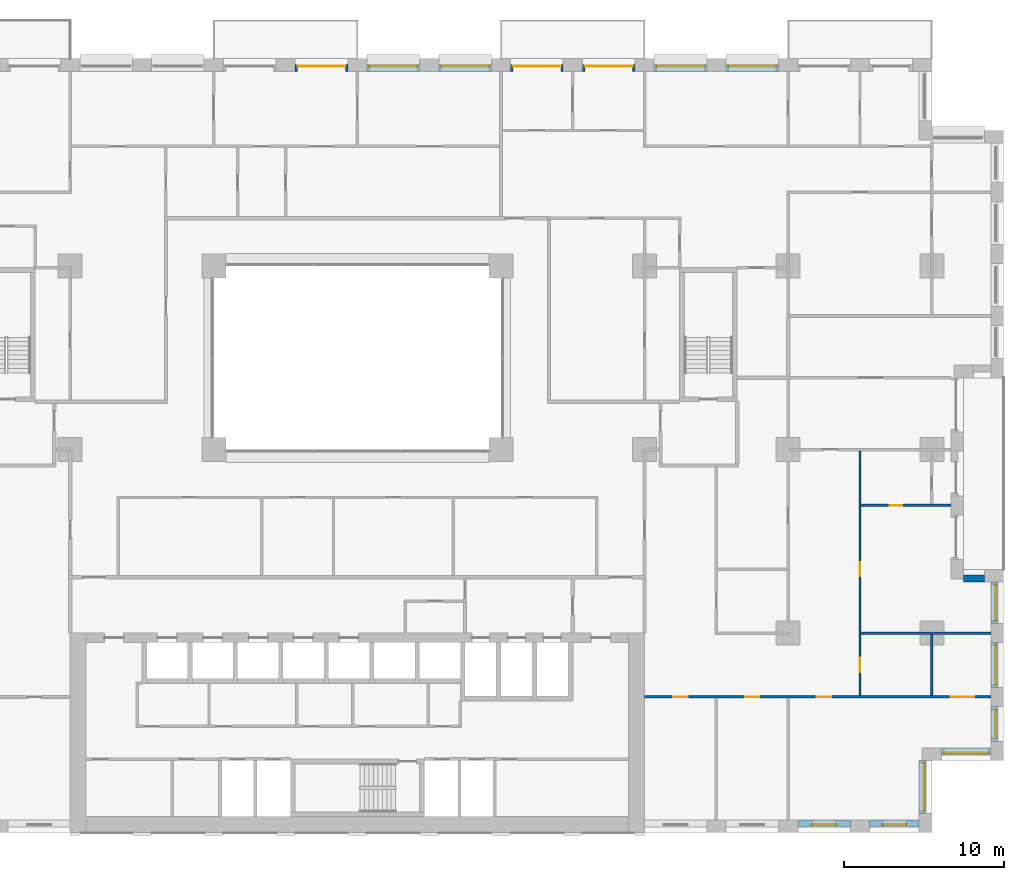
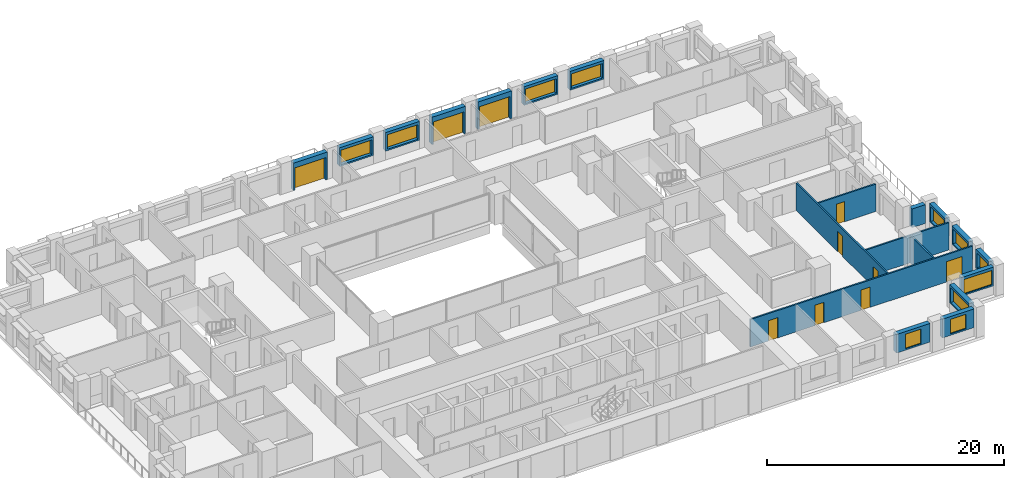
# One storey, part 16 of 20: 20 walls, 11 windows, 10 doors, 21 openings.
"""IFC4 building model written with IfcOpenShell, lengths in metres."""

from ifc_helpers import new_model, si_unit, direction, frame, frame_2d, origin, place, context, subcontext, project, spatial, rectangle, extrude, material, layer, layer_set, type_object, element, fill, save


model = new_model("IFC4")

# Units and contexts
model_context = context("Model", 3, precision=1e-05, world=origin(), true_north=direction((0.0, 1.0)))
body_context = subcontext(model_context, "Body", "Model", "MODEL_VIEW")
ifc_project = project(units=[si_unit("LENGTHUNIT", "METRE"), si_unit("AREAUNIT", "SQUARE_METRE"), si_unit("VOLUMEUNIT", "CUBIC_METRE"), si_unit("PLANEANGLEUNIT", "RADIAN"), si_unit("MASSUNIT", "GRAM", prefix="KILO")], contexts=[model_context])

# Site, building, storey
site_placement = place(None, origin())
site = spatial("IfcSite", under=ifc_project, at=site_placement, CompositionType="ELEMENT")
building_placement = place(site_placement, origin())
building = spatial("IfcBuilding", under=site, at=building_placement, Name="Brigalow Station Residences", CompositionType="ELEMENT")
storey_placement = place(building_placement, frame((0.0, 0.0, 66.75)))
storey = spatial("IfcBuildingStorey", under=building, at=storey_placement, Name="L19", CompositionType="ELEMENT", Elevation=66.75)

# Wall, opening, window
ifc_material_1 = material(Name="Clay brick masonry", Category="masonry")
ifc_layer_1 = layer(ifc_material_1, 0.449951171875)
ifc_layer_set_1 = layer_set([ifc_layer_1], Name="BRICK INFILL WALL 450")
wall_type_1 = type_object("IfcWallType", Name="BRICK INFILL WALL 450", PredefinedType="SOLIDWALL", material=ifc_layer_set_1)
wall_1_placement = place(storey_placement, frame((63.60009765625, 0.574951171875, 0.89990234375), z_axis=(0.0, 0.0, 1.0), x_axis=(1.0, 0.0, 0.0)))
wall_1 = element("IfcWall", 1, at=wall_1_placement, inside=storey, type_object=wall_type_1, Name="L19/ewall/W-L19-7", PredefinedType="SOLIDWALL", context=body_context, shape_type="SweptSolid", body=[
    extrude(rectangle(XDim=3.2998046875, YDim=0.449951171875, at=frame_2d((1.64990234375, 0.0))), origin(), (0.0, 0.0, 1.0), 1.93017578125),
])
opening_1_placement = place(wall_1_placement, frame((0.89990234375, 0.0, 0.14990234375)))
opening_1 = element("IfcOpeningElement", 2, at=opening_1_placement, cuts=wall_1, Name="Opening WT-1", PredefinedType="OPENING", context=body_context, shape_type="SweptSolid", body=[
    extrude(rectangle(XDim=1.5, YDim=1.5, at=frame_2d((0.75, 0.75))), frame((0.0, 0.23486328125, 0.0), z_axis=(0.0, -1.0, 0.0), x_axis=(1.0, 0.0, 0.0)), (0.0, 0.0, 1.0), 0.469970703125),
])
ifc_material_2 = material(Name="Anodised aluminium frame with double glazing", Category="aluminium")
window_type_1 = type_object("IfcWindowType", Name="WINDOW 1500x1500", PartitioningType="SINGLE_PANEL", PredefinedType="WINDOW", material=ifc_material_2)
window_1_placement = place(opening_1_placement, origin())
window_1 = element("IfcWindow", 3, at=window_1_placement, inside=storey, type_object=window_type_1, Name="L19/window/W-L19-7", OverallHeight=1.5, OverallWidth=1.5, PartitioningType="SINGLE_PANEL", PredefinedType="WINDOW", context=body_context, shape_type="SweptSolid", body=[
    extrude(rectangle(XDim=1.5, YDim=1.5, at=frame_2d((0.75, 0.75))), frame((0.0, -0.06494140625, 0.0), z_axis=(0.0, -1.0, 0.0), x_axis=(1.0, 0.0, 0.0)), (0.0, 0.0, 1.0), 0.06005859375),
])
fill(opening_1, window_1)

wall_2_placement = place(storey_placement, frame((68.10009765625, 0.574951171875, 0.89990234375), z_axis=(0.0, 0.0, 1.0), x_axis=(1.0, 0.0, 0.0)))
wall_2 = element("IfcWall", 4, at=wall_2_placement, inside=storey, type_object=wall_type_1, Name="L19/ewall/W-L19-8", PredefinedType="SOLIDWALL", context=body_context, shape_type="SweptSolid", body=[
    extrude(rectangle(XDim=3.099853515625, YDim=0.449951171875, at=frame_2d((1.5498046875, 0.0))), origin(), (0.0, 0.0, 1.0), 1.93017578125),
])
opening_2_placement = place(wall_2_placement, frame((0.800048828125, 0.0, 0.14990234375)))
opening_2 = element("IfcOpeningElement", 5, at=opening_2_placement, cuts=wall_2, Name="Opening WT-1", PredefinedType="OPENING", context=body_context, shape_type="SweptSolid", body=[
    extrude(rectangle(XDim=1.5, YDim=1.5, at=frame_2d((0.75, 0.75))), frame((0.0, 0.23486328125, 0.0), z_axis=(0.0, -1.0, 0.0), x_axis=(1.0, 0.0, 0.0)), (0.0, 0.0, 1.0), 0.469970703125),
])
window_2_placement = place(opening_2_placement, origin())
window_2 = element("IfcWindow", 6, at=window_2_placement, inside=storey, type_object=window_type_1, Name="L19/window/W-L19-8", OverallHeight=1.5, OverallWidth=1.5, PartitioningType="SINGLE_PANEL", PredefinedType="WINDOW", context=body_context, shape_type="SweptSolid", body=[
    extrude(rectangle(XDim=1.5, YDim=1.5, at=frame_2d((0.75, 0.75))), frame((0.0, -0.06494140625, 0.0), z_axis=(0.0, -1.0, 0.0), x_axis=(1.0, 0.0, 0.0)), (0.0, 0.0, 1.0), 0.06005859375),
])
fill(opening_2, window_2)

wall_3_placement = place(storey_placement, frame((71.425048828125, 1.199951171875, 0.89990234375), z_axis=(0.0, 0.0, 1.0), x_axis=(0.0, 1.0, 0.0)))
wall_3 = element("IfcWall", 7, at=wall_3_placement, inside=storey, type_object=wall_type_1, Name="L19/ewall/W-L19-9", PredefinedType="SOLIDWALL", context=body_context, shape_type="SweptSolid", body=[
    extrude(rectangle(XDim=3.300048828125, YDim=0.449951171875, at=frame_2d((1.64990234375, 0.0))), origin(), (0.0, 0.0, 1.0), 1.93017578125),
])
opening_3_placement = place(wall_3_placement, frame((0.14990234375, 0.0, 0.14990234375)))
opening_3 = element("IfcOpeningElement", 8, at=opening_3_placement, cuts=wall_3, Name="Opening WT-2", PredefinedType="OPENING", context=body_context, shape_type="SweptSolid", body=[
    extrude(rectangle(XDim=3.0, YDim=1.5, at=frame_2d((1.5, 0.75))), frame((0.0, 0.23486328125, 0.0), z_axis=(0.0, -1.0, 0.0), x_axis=(1.0, 0.0, 0.0)), (0.0, 0.0, 1.0), 0.469970703125),
])
ifc_material_3 = material(Name="Anodised aluminium frame with double glazing", Category="aluminium")
window_type_2 = type_object("IfcWindowType", Name="WINDOW 3000x1500", PartitioningType="SINGLE_PANEL", PredefinedType="WINDOW", material=ifc_material_3)
window_3_placement = place(opening_3_placement, origin())
window_3 = element("IfcWindow", 9, at=window_3_placement, inside=storey, type_object=window_type_2, Name="L19/window/W-L19-9", OverallHeight=1.5, OverallWidth=3.0, PartitioningType="SINGLE_PANEL", PredefinedType="WINDOW", context=body_context, shape_type="SweptSolid", body=[
    extrude(rectangle(XDim=3.0, YDim=1.5, at=frame_2d((1.5, 0.75))), frame((0.0, -0.06494140625, 0.0), z_axis=(0.0, -1.0, 0.0), x_axis=(1.0, 0.0, 0.0)), (0.0, 0.0, 1.0), 0.06005859375),
])
fill(opening_3, window_3)

wall_4_placement = place(storey_placement, frame((72.60009765625, 5.074951171875, 0.89990234375), z_axis=(0.0, 0.0, 1.0), x_axis=(1.0, 0.0, 0.0)))
wall_4 = element("IfcWall", 10, at=wall_4_placement, inside=storey, type_object=wall_type_1, Name="L19/ewall/W-L19-10", PredefinedType="SOLIDWALL", context=body_context, shape_type="SweptSolid", body=[
    extrude(rectangle(XDim=3.099853515625, YDim=0.449951171875, at=frame_2d((1.5498046875, 0.0))), origin(), (0.0, 0.0, 1.0), 1.93017578125),
])
opening_4_placement = place(wall_4_placement, frame((0.175048828125, 0.0, 0.14990234375)))
opening_4 = element("IfcOpeningElement", 11, at=opening_4_placement, cuts=wall_4, Name="Opening WT-3", PredefinedType="OPENING", context=body_context, shape_type="SweptSolid", body=[
    extrude(rectangle(XDim=2.75, YDim=1.5, at=frame_2d((1.375, 0.75))), frame((0.0, 0.23486328125, 0.0), z_axis=(0.0, -1.0, 0.0), x_axis=(1.0, 0.0, 0.0)), (0.0, 0.0, 1.0), 0.469970703125),
])
ifc_material_4 = material(Name="Anodised aluminium frame with double glazing", Category="aluminium")
window_type_3 = type_object("IfcWindowType", Name="WINDOW 2750x1500", PartitioningType="SINGLE_PANEL", PredefinedType="WINDOW", material=ifc_material_4)
window_4_placement = place(opening_4_placement, origin())
window_4 = element("IfcWindow", 12, at=window_4_placement, inside=storey, type_object=window_type_3, Name="L19/window/W-L19-10", OverallHeight=1.5, OverallWidth=2.75, PartitioningType="SINGLE_PANEL", PredefinedType="WINDOW", context=body_context, shape_type="SweptSolid", body=[
    extrude(rectangle(XDim=2.75, YDim=1.5, at=frame_2d((1.375, 0.75))), frame((0.0, -0.06494140625, 0.0), z_axis=(0.0, -1.0, 0.0), x_axis=(1.0, 0.0, 0.0)), (0.0, 0.0, 1.0), 0.06005859375),
])
fill(opening_4, window_4)

wall_5_placement = place(storey_placement, frame((75.925048828125, 5.699951171875, 0.89990234375), z_axis=(0.0, 0.0, 1.0), x_axis=(0.0, 1.0, 0.0)))
wall_5 = element("IfcWall", 13, at=wall_5_placement, inside=storey, type_object=wall_type_1, Name="L19/ewall/W-L19-11", PredefinedType="SOLIDWALL", context=body_context, shape_type="SweptSolid", body=[
    extrude(rectangle(XDim=2.199951171875, YDim=0.449951171875, at=frame_2d((1.10009765625, 0.0))), origin(), (0.0, 0.0, 1.0), 1.93017578125),
])
opening_5_placement = place(wall_5_placement, frame((0.22509765625, 0.0, 0.14990234375)))
opening_5 = element("IfcOpeningElement", 14, at=opening_5_placement, cuts=wall_5, Name="Opening WT-4", PredefinedType="OPENING", context=body_context, shape_type="SweptSolid", body=[
    extrude(rectangle(XDim=1.75, YDim=1.5, at=frame_2d((0.875, 0.75))), frame((0.0, 0.23486328125, 0.0), z_axis=(0.0, -1.0, 0.0), x_axis=(1.0, 0.0, 0.0)), (0.0, 0.0, 1.0), 0.469970703125),
])
ifc_material_5 = material(Name="Anodised aluminium frame with double glazing", Category="aluminium")
window_type_4 = type_object("IfcWindowType", Name="WINDOW 1750x1500", PartitioningType="SINGLE_PANEL", PredefinedType="WINDOW", material=ifc_material_5)
window_5_placement = place(opening_5_placement, origin())
window_5 = element("IfcWindow", 15, at=window_5_placement, inside=storey, type_object=window_type_4, Name="L19/window/W-L19-11", OverallHeight=1.5, OverallWidth=1.75, PartitioningType="SINGLE_PANEL", PredefinedType="WINDOW", context=body_context, shape_type="SweptSolid", body=[
    extrude(rectangle(XDim=1.75, YDim=1.5, at=frame_2d((0.875, 0.75))), frame((0.0, -0.06494140625, 0.0), z_axis=(0.0, -1.0, 0.0), x_axis=(1.0, 0.0, 0.0)), (0.0, 0.0, 1.0), 0.06005859375),
])
fill(opening_5, window_5)

wall_6_placement = place(storey_placement, frame((75.925048828125, 9.10009765625, 0.89990234375), z_axis=(0.0, 0.0, 1.0), x_axis=(0.0, 1.0, 0.0)))
wall_6 = element("IfcWall", 16, at=wall_6_placement, inside=storey, type_object=wall_type_1, Name="L19/ewall/W-L19-12", PredefinedType="SOLIDWALL", context=body_context, shape_type="SweptSolid", body=[
    extrude(rectangle(XDim=2.7998046875, YDim=0.449951171875, at=frame_2d((1.39990234375, 0.0))), origin(), (0.0, 0.0, 1.0), 1.93017578125),
])
opening_6_placement = place(wall_6_placement, frame((0.14990234375, 0.0, 0.14990234375)))
opening_6 = element("IfcOpeningElement", 17, at=opening_6_placement, cuts=wall_6, Name="Opening WT-5", PredefinedType="OPENING", context=body_context, shape_type="SweptSolid", body=[
    extrude(rectangle(XDim=2.5, YDim=1.5, at=frame_2d((1.25, 0.75))), frame((0.0, 0.23486328125, 0.0), z_axis=(0.0, -1.0, 0.0), x_axis=(1.0, 0.0, 0.0)), (0.0, 0.0, 1.0), 0.469970703125),
])
ifc_material_6 = material(Name="Anodised aluminium frame with double glazing", Category="aluminium")
window_type_5 = type_object("IfcWindowType", Name="WINDOW 2500x1500", PartitioningType="SINGLE_PANEL", PredefinedType="WINDOW", material=ifc_material_6)
window_6_placement = place(opening_6_placement, origin())
window_6 = element("IfcWindow", 18, at=window_6_placement, inside=storey, type_object=window_type_5, Name="L19/window/W-L19-12", OverallHeight=1.5, OverallWidth=2.5, PartitioningType="SINGLE_PANEL", PredefinedType="WINDOW", context=body_context, shape_type="SweptSolid", body=[
    extrude(rectangle(XDim=2.5, YDim=1.5, at=frame_2d((1.25, 0.75))), frame((0.0, -0.06494140625, 0.0), z_axis=(0.0, -1.0, 0.0), x_axis=(1.0, 0.0, 0.0)), (0.0, 0.0, 1.0), 0.06005859375),
])
fill(opening_6, window_6)

wall_7_placement = place(storey_placement, frame((75.925048828125, 13.10009765625, 0.89990234375), z_axis=(0.0, 0.0, 1.0), x_axis=(0.0, 1.0, 0.0)))
wall_7 = element("IfcWall", 19, at=wall_7_placement, inside=storey, type_object=wall_type_1, Name="L19/ewall/W-L19-13", PredefinedType="SOLIDWALL", context=body_context, shape_type="SweptSolid", body=[
    extrude(rectangle(XDim=2.599853515625, YDim=0.449951171875, at=frame_2d((1.2998046875, 0.0))), origin(), (0.0, 0.0, 1.0), 1.93017578125),
])
opening_7_placement = place(wall_7_placement, frame((0.175048828125, 0.0, 0.14990234375)))
opening_7 = element("IfcOpeningElement", 20, at=opening_7_placement, cuts=wall_7, Name="Opening WT-6", PredefinedType="OPENING", context=body_context, shape_type="SweptSolid", body=[
    extrude(rectangle(XDim=2.25, YDim=1.5, at=frame_2d((1.125, 0.75))), frame((0.0, 0.23486328125, 0.0), z_axis=(0.0, -1.0, 0.0), x_axis=(1.0, 0.0, 0.0)), (0.0, 0.0, 1.0), 0.469970703125),
])
ifc_material_7 = material(Name="Anodised aluminium frame with double glazing", Category="aluminium")
window_type_6 = type_object("IfcWindowType", Name="WINDOW 2250x1500", PartitioningType="SINGLE_PANEL", PredefinedType="WINDOW", material=ifc_material_7)
window_7_placement = place(opening_7_placement, origin())
window_7 = element("IfcWindow", 21, at=window_7_placement, inside=storey, type_object=window_type_6, Name="L19/window/W-L19-13", OverallHeight=1.5, OverallWidth=2.25, PartitioningType="SINGLE_PANEL", PredefinedType="WINDOW", context=body_context, shape_type="SweptSolid", body=[
    extrude(rectangle(XDim=2.25, YDim=1.5, at=frame_2d((1.125, 0.75))), frame((0.0, -0.06494140625, 0.0), z_axis=(0.0, -1.0, 0.0), x_axis=(1.0, 0.0, 0.0)), (0.0, 0.0, 1.0), 0.06005859375),
])
fill(opening_7, window_7)

# Wall
wall_8_placement = place(storey_placement, frame((75.300048828125, 15.925048828125, 0.89990234375), z_axis=(0.0, 0.0, 1.0), x_axis=(-1.0, 0.0, 0.0)))
element("IfcWall", 22, at=wall_8_placement, inside=storey, type_object=wall_type_1, Name="L19/ewall/W-L19-14", PredefinedType="SOLIDWALL", context=body_context, shape_type="SweptSolid", body=[
    extrude(rectangle(XDim=1.300048828125, YDim=0.449951171875, at=frame_2d((0.64990234375, 0.0))), origin(), (0.0, 0.0, 1.0), 1.93017578125),
])

# Wall, opening, window
wall_9_placement = place(storey_placement, frame((62.39990234375, 47.925048828125, 0.89990234375), z_axis=(0.0, 0.0, 1.0), x_axis=(-1.0, 0.0, 0.0)))
wall_9 = element("IfcWall", 23, at=wall_9_placement, inside=storey, type_object=wall_type_1, Name="L19/ewall/W-L19-27", PredefinedType="SOLIDWALL", context=body_context, shape_type="SweptSolid", body=[
    extrude(rectangle(XDim=3.2998046875, YDim=0.449951171875, at=frame_2d((1.64990234375, 0.0))), origin(), (0.0, 0.0, 1.0), 1.93017578125),
])
opening_8_placement = place(wall_9_placement, frame((0.14990234375, 0.0, 0.14990234375)))
opening_8 = element("IfcOpeningElement", 24, at=opening_8_placement, cuts=wall_9, Name="Opening WT-2", PredefinedType="OPENING", context=body_context, shape_type="SweptSolid", body=[
    extrude(rectangle(XDim=3.0, YDim=1.5, at=frame_2d((1.5, 0.75))), frame((0.0, 0.23486328125, 0.0), z_axis=(0.0, -1.0, 0.0), x_axis=(1.0, 0.0, 0.0)), (0.0, 0.0, 1.0), 0.469970703125),
])
window_8_placement = place(opening_8_placement, origin())
window_8 = element("IfcWindow", 25, at=window_8_placement, inside=storey, type_object=window_type_2, Name="L19/window/W-L19-27", OverallHeight=1.5, OverallWidth=3.0, PartitioningType="SINGLE_PANEL", PredefinedType="WINDOW", context=body_context, shape_type="SweptSolid", body=[
    extrude(rectangle(XDim=3.0, YDim=1.5, at=frame_2d((1.5, 0.75))), frame((0.0, -0.06494140625, 0.0), z_axis=(0.0, -1.0, 0.0), x_axis=(1.0, 0.0, 0.0)), (0.0, 0.0, 1.0), 0.06005859375),
])
fill(opening_8, window_8)

wall_10_placement = place(storey_placement, frame((57.89990234375, 47.925048828125, 0.89990234375), z_axis=(0.0, 0.0, 1.0), x_axis=(-1.0, 0.0, 0.0)))
wall_10 = element("IfcWall", 26, at=wall_10_placement, inside=storey, type_object=wall_type_1, Name="L19/ewall/W-L19-28", PredefinedType="SOLIDWALL", context=body_context, shape_type="SweptSolid", body=[
    extrude(rectangle(XDim=3.2998046875, YDim=0.449951171875, at=frame_2d((1.64990234375, 0.0))), origin(), (0.0, 0.0, 1.0), 1.93017578125),
])
opening_9_placement = place(wall_10_placement, frame((0.14990234375, 0.0, 0.14990234375)))
opening_9 = element("IfcOpeningElement", 27, at=opening_9_placement, cuts=wall_10, Name="Opening WT-2", PredefinedType="OPENING", context=body_context, shape_type="SweptSolid", body=[
    extrude(rectangle(XDim=3.0, YDim=1.5, at=frame_2d((1.5, 0.75))), frame((0.0, 0.23486328125, 0.0), z_axis=(0.0, -1.0, 0.0), x_axis=(1.0, 0.0, 0.0)), (0.0, 0.0, 1.0), 0.469970703125),
])
window_9_placement = place(opening_9_placement, origin())
window_9 = element("IfcWindow", 28, at=window_9_placement, inside=storey, type_object=window_type_2, Name="L19/window/W-L19-28", OverallHeight=1.5, OverallWidth=3.0, PartitioningType="SINGLE_PANEL", PredefinedType="WINDOW", context=body_context, shape_type="SweptSolid", body=[
    extrude(rectangle(XDim=3.0, YDim=1.5, at=frame_2d((1.5, 0.75))), frame((0.0, -0.06494140625, 0.0), z_axis=(0.0, -1.0, 0.0), x_axis=(1.0, 0.0, 0.0)), (0.0, 0.0, 1.0), 0.06005859375),
])
fill(opening_9, window_9)

# Wall, opening, door
wall_11_placement = place(storey_placement, frame((53.39990234375, 47.925048828125, 0.0), z_axis=(0.0, 0.0, 1.0), x_axis=(-1.0, 0.0, 0.0)))
wall_11 = element("IfcWall", 29, at=wall_11_placement, inside=storey, type_object=wall_type_1, Name="L19/ewall/W-L19-29", PredefinedType="SOLIDWALL", context=body_context, shape_type="SweptSolid", body=[
    extrude(rectangle(XDim=3.2998046875, YDim=0.449951171875, at=frame_2d((1.64990234375, 0.0))), origin(), (0.0, 0.0, 1.0), 2.830078125),
])
opening_10_placement = place(wall_11_placement, frame((0.14990234375, 0.0, 0.0)))
opening_10 = element("IfcOpeningElement", 30, at=opening_10_placement, cuts=wall_11, Name="Opening D-B3000", PredefinedType="OPENING", context=body_context, shape_type="SweptSolid", body=[
    extrude(rectangle(XDim=3.0, YDim=2.300048828125, at=frame_2d((1.5, 1.14990234375))), frame((0.0, 0.23486328125, 0.0), z_axis=(0.0, -1.0, 0.0), x_axis=(1.0, 0.0, 0.0)), (0.0, 0.0, 1.0), 0.469970703125),
])
ifc_material_8 = material(Name="Anodised aluminium frame with double glazing", Category="aluminium")
door_type_1 = type_object("IfcDoorType", Name="BALCONY SLIDING DOOR 3000x2300", OperationType="SLIDING_TO_LEFT", PredefinedType="DOOR", material=ifc_material_8)
door_1_placement = place(opening_10_placement, origin())
door_1 = element("IfcDoor", 31, at=door_1_placement, inside=storey, type_object=door_type_1, Name="L19/balcony-door/W-L19-29", OperationType="SLIDING_TO_LEFT", OverallHeight=2.300048828125, OverallWidth=3.0, PredefinedType="DOOR", context=body_context, shape_type="SweptSolid", body=[
    extrude(rectangle(XDim=3.0, YDim=2.300048828125, at=frame_2d((1.5, 1.14990234375))), frame((0.0, -0.06982421875, 0.0), z_axis=(0.0, -1.0, 0.0), x_axis=(1.0, 0.0, 0.0)), (0.0, 0.0, 1.0), 0.050048828125),
])
fill(opening_10, door_1)

wall_12_placement = place(storey_placement, frame((48.89990234375, 47.925048828125, 0.0), z_axis=(0.0, 0.0, 1.0), x_axis=(-1.0, 0.0, 0.0)))
wall_12 = element("IfcWall", 32, at=wall_12_placement, inside=storey, type_object=wall_type_1, Name="L19/ewall/W-L19-30", PredefinedType="SOLIDWALL", context=body_context, shape_type="SweptSolid", body=[
    extrude(rectangle(XDim=3.2998046875, YDim=0.449951171875, at=frame_2d((1.64990234375, 0.0))), origin(), (0.0, 0.0, 1.0), 2.830078125),
])
opening_11_placement = place(wall_12_placement, frame((0.14990234375, 0.0, 0.0)))
opening_11 = element("IfcOpeningElement", 33, at=opening_11_placement, cuts=wall_12, Name="Opening D-B3000", PredefinedType="OPENING", context=body_context, shape_type="SweptSolid", body=[
    extrude(rectangle(XDim=3.0, YDim=2.300048828125, at=frame_2d((1.5, 1.14990234375))), frame((0.0, 0.23486328125, 0.0), z_axis=(0.0, -1.0, 0.0), x_axis=(1.0, 0.0, 0.0)), (0.0, 0.0, 1.0), 0.469970703125),
])
door_2_placement = place(opening_11_placement, origin())
door_2 = element("IfcDoor", 34, at=door_2_placement, inside=storey, type_object=door_type_1, Name="L19/balcony-door/W-L19-30", OperationType="SLIDING_TO_LEFT", OverallHeight=2.300048828125, OverallWidth=3.0, PredefinedType="DOOR", context=body_context, shape_type="SweptSolid", body=[
    extrude(rectangle(XDim=3.0, YDim=2.300048828125, at=frame_2d((1.5, 1.14990234375))), frame((0.0, -0.06982421875, 0.0), z_axis=(0.0, -1.0, 0.0), x_axis=(1.0, 0.0, 0.0)), (0.0, 0.0, 1.0), 0.050048828125),
])
fill(opening_11, door_2)

# Wall, opening, window
wall_13_placement = place(storey_placement, frame((44.39990234375, 47.925048828125, 0.89990234375), z_axis=(0.0, 0.0, 1.0), x_axis=(-1.0, 0.0, 0.0)))
wall_13 = element("IfcWall", 35, at=wall_13_placement, inside=storey, type_object=wall_type_1, Name="L19/ewall/W-L19-31", PredefinedType="SOLIDWALL", context=body_context, shape_type="SweptSolid", body=[
    extrude(rectangle(XDim=3.2998046875, YDim=0.449951171875, at=frame_2d((1.64990234375, 0.0))), origin(), (0.0, 0.0, 1.0), 1.93017578125),
])
opening_12_placement = place(wall_13_placement, frame((0.14990234375, 0.0, 0.14990234375)))
opening_12 = element("IfcOpeningElement", 36, at=opening_12_placement, cuts=wall_13, Name="Opening WT-2", PredefinedType="OPENING", context=body_context, shape_type="SweptSolid", body=[
    extrude(rectangle(XDim=3.0, YDim=1.5, at=frame_2d((1.5, 0.75))), frame((0.0, 0.23486328125, 0.0), z_axis=(0.0, -1.0, 0.0), x_axis=(1.0, 0.0, 0.0)), (0.0, 0.0, 1.0), 0.469970703125),
])
window_10_placement = place(opening_12_placement, origin())
window_10 = element("IfcWindow", 37, at=window_10_placement, inside=storey, type_object=window_type_2, Name="L19/window/W-L19-31", OverallHeight=1.5, OverallWidth=3.0, PartitioningType="SINGLE_PANEL", PredefinedType="WINDOW", context=body_context, shape_type="SweptSolid", body=[
    extrude(rectangle(XDim=3.0, YDim=1.5, at=frame_2d((1.5, 0.75))), frame((0.0, -0.06494140625, 0.0), z_axis=(0.0, -1.0, 0.0), x_axis=(1.0, 0.0, 0.0)), (0.0, 0.0, 1.0), 0.06005859375),
])
fill(opening_12, window_10)

wall_14_placement = place(storey_placement, frame((39.89990234375, 47.925048828125, 0.89990234375), z_axis=(0.0, 0.0, 1.0), x_axis=(-1.0, 0.0, 0.0)))
wall_14 = element("IfcWall", 38, at=wall_14_placement, inside=storey, type_object=wall_type_1, Name="L19/ewall/W-L19-32", PredefinedType="SOLIDWALL", context=body_context, shape_type="SweptSolid", body=[
    extrude(rectangle(XDim=3.2998046875, YDim=0.449951171875, at=frame_2d((1.64990234375, 0.0))), origin(), (0.0, 0.0, 1.0), 1.93017578125),
])
opening_13_placement = place(wall_14_placement, frame((0.14990234375, 0.0, 0.14990234375)))
opening_13 = element("IfcOpeningElement", 39, at=opening_13_placement, cuts=wall_14, Name="Opening WT-2", PredefinedType="OPENING", context=body_context, shape_type="SweptSolid", body=[
    extrude(rectangle(XDim=3.0, YDim=1.5, at=frame_2d((1.5, 0.75))), frame((0.0, 0.23486328125, 0.0), z_axis=(0.0, -1.0, 0.0), x_axis=(1.0, 0.0, 0.0)), (0.0, 0.0, 1.0), 0.469970703125),
])
window_11_placement = place(opening_13_placement, origin())
window_11 = element("IfcWindow", 40, at=window_11_placement, inside=storey, type_object=window_type_2, Name="L19/window/W-L19-32", OverallHeight=1.5, OverallWidth=3.0, PartitioningType="SINGLE_PANEL", PredefinedType="WINDOW", context=body_context, shape_type="SweptSolid", body=[
    extrude(rectangle(XDim=3.0, YDim=1.5, at=frame_2d((1.5, 0.75))), frame((0.0, -0.06494140625, 0.0), z_axis=(0.0, -1.0, 0.0), x_axis=(1.0, 0.0, 0.0)), (0.0, 0.0, 1.0), 0.06005859375),
])
fill(opening_13, window_11)

# Wall, opening, door
wall_15_placement = place(storey_placement, frame((35.39990234375, 47.925048828125, 0.0), z_axis=(0.0, 0.0, 1.0), x_axis=(-1.0, 0.0, 0.0)))
wall_15 = element("IfcWall", 41, at=wall_15_placement, inside=storey, type_object=wall_type_1, Name="L19/ewall/W-L19-33", PredefinedType="SOLIDWALL", context=body_context, shape_type="SweptSolid", body=[
    extrude(rectangle(XDim=3.2998046875, YDim=0.449951171875, at=frame_2d((1.64990234375, 0.0))), origin(), (0.0, 0.0, 1.0), 2.830078125),
])
opening_14_placement = place(wall_15_placement, frame((0.14990234375, 0.0, 0.0)))
opening_14 = element("IfcOpeningElement", 42, at=opening_14_placement, cuts=wall_15, Name="Opening D-B3000", PredefinedType="OPENING", context=body_context, shape_type="SweptSolid", body=[
    extrude(rectangle(XDim=3.0, YDim=2.300048828125, at=frame_2d((1.5, 1.14990234375))), frame((0.0, 0.23486328125, 0.0), z_axis=(0.0, -1.0, 0.0), x_axis=(1.0, 0.0, 0.0)), (0.0, 0.0, 1.0), 0.469970703125),
])
door_3_placement = place(opening_14_placement, origin())
door_3 = element("IfcDoor", 43, at=door_3_placement, inside=storey, type_object=door_type_1, Name="L19/balcony-door/W-L19-33", OperationType="SLIDING_TO_LEFT", OverallHeight=2.300048828125, OverallWidth=3.0, PredefinedType="DOOR", context=body_context, shape_type="SweptSolid", body=[
    extrude(rectangle(XDim=3.0, YDim=2.300048828125, at=frame_2d((1.5, 1.14990234375))), frame((0.0, -0.06982421875, 0.0), z_axis=(0.0, -1.0, 0.0), x_axis=(1.0, 0.0, 0.0)), (0.0, 0.0, 1.0), 0.050048828125),
])
fill(opening_14, door_3)

# Wall, openings, doors
ifc_material_9 = material(Name="Plasterboard on steel stud partition", Category="steel")
ifc_layer_2 = layer(ifc_material_9, 0.14990234375)
ifc_layer_set_2 = layer_set([ifc_layer_2], Name="FLAT PARTITION 150")
wall_type_2 = type_object("IfcWallType", Name="FLAT PARTITION 150", PredefinedType="PARTITIONING", material=ifc_layer_set_2)
wall_16_placement = place(storey_placement, frame((54.0, 8.5, 0.0), z_axis=(0.0, 0.0, 1.0), x_axis=(1.0, 0.0, 0.0)))
wall_16 = element("IfcWall", 44, at=wall_16_placement, inside=storey, type_object=wall_type_2, Name="PW-1G11", PredefinedType="PARTITIONING", context=body_context, shape_type="SweptSolid", body=[
    extrude(rectangle(XDim=21.699951171875, YDim=0.14990234375, at=frame_2d((10.85009765625, 0.0))), origin(), (0.0, 0.0, 1.0), 2.830078125),
])
opening_15_placement = place(wall_16_placement, frame((6.300048828125, 0.0, 0.0)))
opening_15 = element("IfcOpeningElement", 45, at=opening_15_placement, cuts=wall_16, Name="Opening D-1G53", PredefinedType="OPENING", context=body_context, shape_type="SweptSolid", body=[
    extrude(rectangle(XDim=0.89990234375, YDim=2.10009765625, at=frame_2d((0.449951171875, 1.050048828125))), frame((0.0, 0.0849609375, 0.0), z_axis=(0.0, -1.0, 0.0), x_axis=(1.0, 0.0, 0.0)), (0.0, 0.0, 1.0), 0.169921875),
])
opening_16_placement = place(wall_16_placement, frame((1.800048828125, 0.0, 0.0)))
opening_16 = element("IfcOpeningElement", 46, at=opening_16_placement, cuts=wall_16, Name="Opening D-1G58", PredefinedType="OPENING", context=body_context, shape_type="SweptSolid", body=[
    extrude(rectangle(XDim=0.89990234375, YDim=2.10009765625, at=frame_2d((0.449951171875, 1.050048828125))), frame((0.0, 0.0849609375, 0.0), z_axis=(0.0, -1.0, 0.0), x_axis=(1.0, 0.0, 0.0)), (0.0, 0.0, 1.0), 0.169921875),
])
opening_17_placement = place(wall_16_placement, frame((10.800048828125, 0.0, 0.0)))
opening_17 = element("IfcOpeningElement", 47, at=opening_17_placement, cuts=wall_16, Name="Opening D-1G59", PredefinedType="OPENING", context=body_context, shape_type="SweptSolid", body=[
    extrude(rectangle(XDim=0.89990234375, YDim=2.10009765625, at=frame_2d((0.449951171875, 1.050048828125))), frame((0.0, 0.0849609375, 0.0), z_axis=(0.0, -1.0, 0.0), x_axis=(1.0, 0.0, 0.0)), (0.0, 0.0, 1.0), 0.169921875),
])
opening_18_placement = place(wall_16_placement, frame((19.175048828125, 0.0, 0.0)))
opening_18 = element("IfcOpeningElement", 48, at=opening_18_placement, cuts=wall_16, Name="Opening D-1G63", PredefinedType="OPENING", context=body_context, shape_type="SweptSolid", body=[
    extrude(rectangle(XDim=1.5, YDim=2.10009765625, at=frame_2d((0.75, 1.050048828125))), frame((0.0, 0.0849609375, 0.0), z_axis=(0.0, -1.0, 0.0), x_axis=(1.0, 0.0, 0.0)), (0.0, 0.0, 1.0), 0.169921875),
])
ifc_material_10 = material(Name="Solid-core timber door leaf", Category="wood")
door_type_2 = type_object("IfcDoorType", Name="INTERNAL DOOR 900 x 2100", OperationType="SINGLE_SWING_LEFT", PredefinedType="DOOR", material=ifc_material_10)
door_4_placement = place(opening_15_placement, frame((0.89990234375, 0.0, 0.0), z_axis=(0.0, 0.0, 1.0), x_axis=(-1.0, 0.0, 0.0)))
door_4 = element("IfcDoor", 49, at=door_4_placement, inside=storey, type_object=door_type_2, Name="D-1G53", OperationType="SINGLE_SWING_LEFT", OverallHeight=2.10009765625, OverallWidth=0.89990234375, PredefinedType="DOOR", context=body_context, shape_type="SweptSolid", body=[
    extrude(rectangle(XDim=0.89990234375, YDim=2.10009765625, at=frame_2d((0.449951171875, 1.050048828125))), frame((0.0, 0.02490234375, 0.0), z_axis=(0.0, -1.0, 0.0), x_axis=(1.0, 0.0, 0.0)), (0.0, 0.0, 1.0), 0.050048828125),
])
fill(opening_15, door_4)
door_5_placement = place(opening_16_placement, frame((0.89990234375, 0.0, 0.0), z_axis=(0.0, 0.0, 1.0), x_axis=(-1.0, 0.0, 0.0)))
door_5 = element("IfcDoor", 50, at=door_5_placement, inside=storey, type_object=door_type_2, Name="D-1G58", OperationType="SINGLE_SWING_LEFT", OverallHeight=2.10009765625, OverallWidth=0.89990234375, PredefinedType="DOOR", context=body_context, shape_type="SweptSolid", body=[
    extrude(rectangle(XDim=0.89990234375, YDim=2.10009765625, at=frame_2d((0.449951171875, 1.050048828125))), frame((0.0, 0.02490234375, 0.0), z_axis=(0.0, -1.0, 0.0), x_axis=(1.0, 0.0, 0.0)), (0.0, 0.0, 1.0), 0.050048828125),
])
fill(opening_16, door_5)
door_6_placement = place(opening_17_placement, frame((0.89990234375, 0.0, 0.0), z_axis=(0.0, 0.0, 1.0), x_axis=(-1.0, 0.0, 0.0)))
door_6 = element("IfcDoor", 51, at=door_6_placement, inside=storey, type_object=door_type_2, Name="D-1G59", OperationType="SINGLE_SWING_RIGHT", OverallHeight=2.10009765625, OverallWidth=0.89990234375, PredefinedType="DOOR", context=body_context, shape_type="SweptSolid", body=[
    extrude(rectangle(XDim=0.89990234375, YDim=2.10009765625, at=frame_2d((0.449951171875, 1.050048828125))), frame((0.0, 0.02490234375, 0.0), z_axis=(0.0, -1.0, 0.0), x_axis=(1.0, 0.0, 0.0)), (0.0, 0.0, 1.0), 0.050048828125),
])
fill(opening_17, door_6)
ifc_material_11 = material(Name="Solid-core timber door leaf", Category="wood")
door_type_3 = type_object("IfcDoorType", Name="INTERNAL DOUBLE DOOR 1500 x 2100", OperationType="DOUBLE_DOOR_SINGLE_SWING", PredefinedType="DOOR", material=ifc_material_11)
door_7_placement = place(opening_18_placement, origin())
door_7 = element("IfcDoor", 52, at=door_7_placement, inside=storey, type_object=door_type_3, Name="D-1G63", OperationType="DOUBLE_DOOR_SINGLE_SWING", OverallHeight=2.10009765625, OverallWidth=1.5, PredefinedType="DOOR", context=body_context, shape_type="SweptSolid", body=[
    extrude(rectangle(XDim=1.5, YDim=2.10009765625, at=frame_2d((0.75, 1.050048828125))), frame((0.0, 0.02490234375, 0.0), z_axis=(0.0, -1.0, 0.0), x_axis=(1.0, 0.0, 0.0)), (0.0, 0.0, 1.0), 0.050048828125),
])
fill(opening_18, door_7)

# Wall
wall_17_placement = place(storey_placement, frame((67.574951171875, 12.5, 0.0), z_axis=(0.0, 0.0, 1.0), x_axis=(1.0, 0.0, 0.0)))
element("IfcWall", 53, at=wall_17_placement, inside=storey, type_object=wall_type_2, Name="PW-1G14", PredefinedType="PARTITIONING", context=body_context, shape_type="SweptSolid", body=[
    extrude(rectangle(XDim=8.125, YDim=0.14990234375, at=frame_2d((4.0625, 0.0))), origin(), (0.0, 0.0, 1.0), 2.830078125),
])

# Wall, opening, door
wall_18_placement = place(storey_placement, frame((67.574951171875, 20.5, 0.0), z_axis=(0.0, 0.0, 1.0), x_axis=(1.0, 0.0, 0.0)))
wall_18 = element("IfcWall", 54, at=wall_18_placement, inside=storey, type_object=wall_type_2, Name="PW-1G16", PredefinedType="PARTITIONING", context=body_context, shape_type="SweptSolid", body=[
    extrude(rectangle(XDim=5.625, YDim=0.14990234375, at=frame_2d((2.8125, 0.0))), origin(), (0.0, 0.0, 1.0), 2.830078125),
])
opening_19_placement = place(wall_18_placement, frame((1.77490234375, 0.0, 0.0)))
opening_19 = element("IfcOpeningElement", 55, at=opening_19_placement, cuts=wall_18, Name="Opening D-1G56", PredefinedType="OPENING", context=body_context, shape_type="SweptSolid", body=[
    extrude(rectangle(XDim=0.800048828125, YDim=2.10009765625, at=frame_2d((0.39990234375, 1.050048828125))), frame((0.0, 0.0849609375, 0.0), z_axis=(0.0, -1.0, 0.0), x_axis=(1.0, 0.0, 0.0)), (0.0, 0.0, 1.0), 0.169921875),
])
ifc_material_12 = material(Name="Solid-core timber door leaf", Category="wood")
door_type_4 = type_object("IfcDoorType", Name="INTERNAL DOOR 800 x 2100", OperationType="SINGLE_SWING_LEFT", PredefinedType="DOOR", material=ifc_material_12)
door_8_placement = place(opening_19_placement, origin())
door_8 = element("IfcDoor", 56, at=door_8_placement, inside=storey, type_object=door_type_4, Name="D-1G56", OperationType="SINGLE_SWING_RIGHT", OverallHeight=2.10009765625, OverallWidth=0.800048828125, PredefinedType="DOOR", context=body_context, shape_type="SweptSolid", body=[
    extrude(rectangle(XDim=0.800048828125, YDim=2.10009765625, at=frame_2d((0.39990234375, 1.050048828125))), frame((0.0, 0.02490234375, 0.0), z_axis=(0.0, -1.0, 0.0), x_axis=(1.0, 0.0, 0.0)), (0.0, 0.0, 1.0), 0.050048828125),
])
fill(opening_19, door_8)

# Wall
wall_19_placement = place(storey_placement, frame((72.0, 8.574951171875, 0.0), z_axis=(0.0, 0.0, 1.0), x_axis=(0.0, 1.0, 0.0)))
element("IfcWall", 57, at=wall_19_placement, inside=storey, type_object=wall_type_2, Name="PW-1G72", PredefinedType="PARTITIONING", context=body_context, shape_type="SweptSolid", body=[
    extrude(rectangle(XDim=3.85009765625, YDim=0.14990234375, at=frame_2d((1.925048828125, 0.0))), origin(), (0.0, 0.0, 1.0), 2.830078125),
])

# Wall, openings, doors
wall_20_placement = place(storey_placement, frame((67.5, 8.574951171875, 0.0), z_axis=(0.0, 0.0, 1.0), x_axis=(0.0, 1.0, 0.0)))
wall_20 = element("IfcWall", 58, at=wall_20_placement, inside=storey, type_object=wall_type_2, Name="PW-1G77", PredefinedType="PARTITIONING", context=body_context, shape_type="SweptSolid", body=[
    extrude(rectangle(XDim=15.35009765625, YDim=0.14990234375, at=frame_2d((7.675048828125, 0.0))), origin(), (0.0, 0.0, 1.0), 2.830078125),
])
opening_20_placement = place(wall_20_placement, frame((7.47509765625, 0.0, 0.0)))
opening_20 = element("IfcOpeningElement", 59, at=opening_20_placement, cuts=wall_20, Name="Opening D-1G60", PredefinedType="OPENING", context=body_context, shape_type="SweptSolid", body=[
    extrude(rectangle(XDim=0.89990234375, YDim=2.10009765625, at=frame_2d((0.449951171875, 1.050048828125))), frame((0.0, 0.0849609375, 0.0), z_axis=(0.0, -1.0, 0.0), x_axis=(1.0, 0.0, 0.0)), (0.0, 0.0, 1.0), 0.169921875),
])
opening_21_placement = place(wall_20_placement, frame((1.47509765625, 0.0, 0.0)))
opening_21 = element("IfcOpeningElement", 60, at=opening_21_placement, cuts=wall_20, Name="Opening D-1G61", PredefinedType="OPENING", context=body_context, shape_type="SweptSolid", body=[
    extrude(rectangle(XDim=0.89990234375, YDim=2.10009765625, at=frame_2d((0.449951171875, 1.050048828125))), frame((0.0, 0.0849609375, 0.0), z_axis=(0.0, -1.0, 0.0), x_axis=(1.0, 0.0, 0.0)), (0.0, 0.0, 1.0), 0.169921875),
])
door_9_placement = place(opening_20_placement, frame((0.89990234375, 0.0, 0.0), z_axis=(0.0, 0.0, 1.0), x_axis=(-1.0, 0.0, 0.0)))
door_9 = element("IfcDoor", 61, at=door_9_placement, inside=storey, type_object=door_type_2, Name="D-1G60", OperationType="SINGLE_SWING_LEFT", OverallHeight=2.10009765625, OverallWidth=0.89990234375, PredefinedType="DOOR", context=body_context, shape_type="SweptSolid", body=[
    extrude(rectangle(XDim=0.89990234375, YDim=2.10009765625, at=frame_2d((0.449951171875, 1.050048828125))), frame((0.0, 0.02490234375, 0.0), z_axis=(0.0, -1.0, 0.0), x_axis=(1.0, 0.0, 0.0)), (0.0, 0.0, 1.0), 0.050048828125),
])
fill(opening_20, door_9)
door_10_placement = place(opening_21_placement, frame((0.89990234375, 0.0, 0.0), z_axis=(0.0, 0.0, 1.0), x_axis=(-1.0, 0.0, 0.0)))
door_10 = element("IfcDoor", 62, at=door_10_placement, inside=storey, type_object=door_type_2, Name="D-1G61", OperationType="SINGLE_SWING_RIGHT", OverallHeight=2.10009765625, OverallWidth=0.89990234375, PredefinedType="DOOR", context=body_context, shape_type="SweptSolid", body=[
    extrude(rectangle(XDim=0.89990234375, YDim=2.10009765625, at=frame_2d((0.449951171875, 1.050048828125))), frame((0.0, 0.02490234375, 0.0), z_axis=(0.0, -1.0, 0.0), x_axis=(1.0, 0.0, 0.0)), (0.0, 0.0, 1.0), 0.050048828125),
])
fill(opening_21, door_10)

save(model, "model.ifc")
